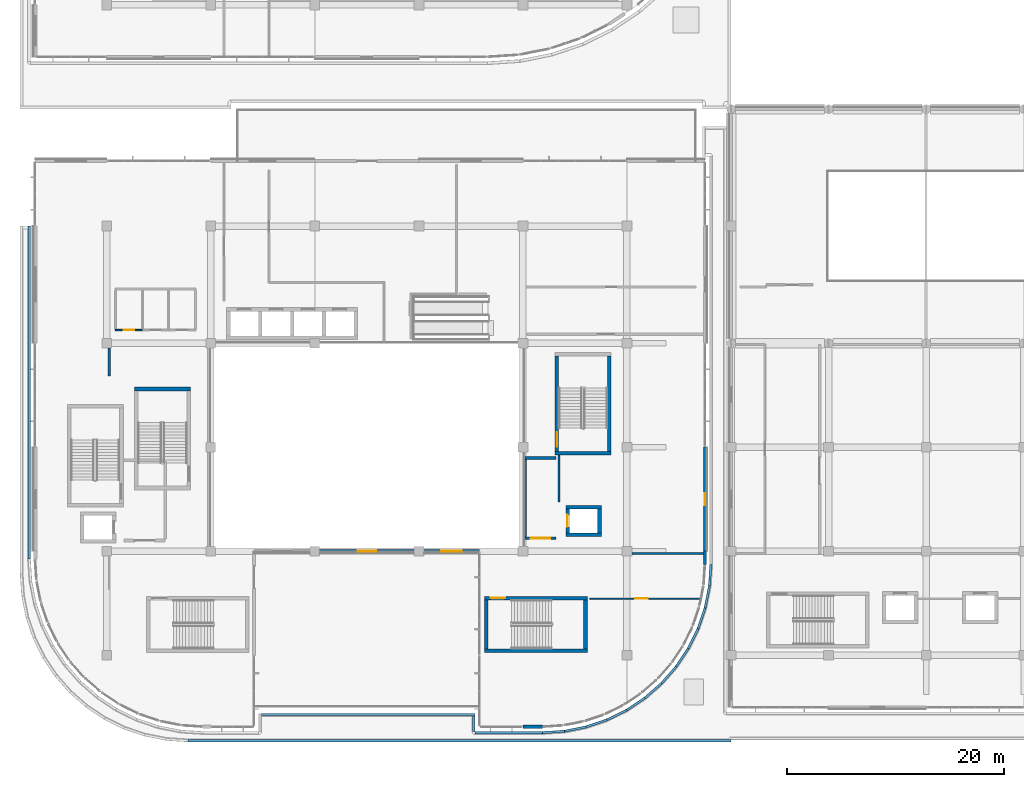
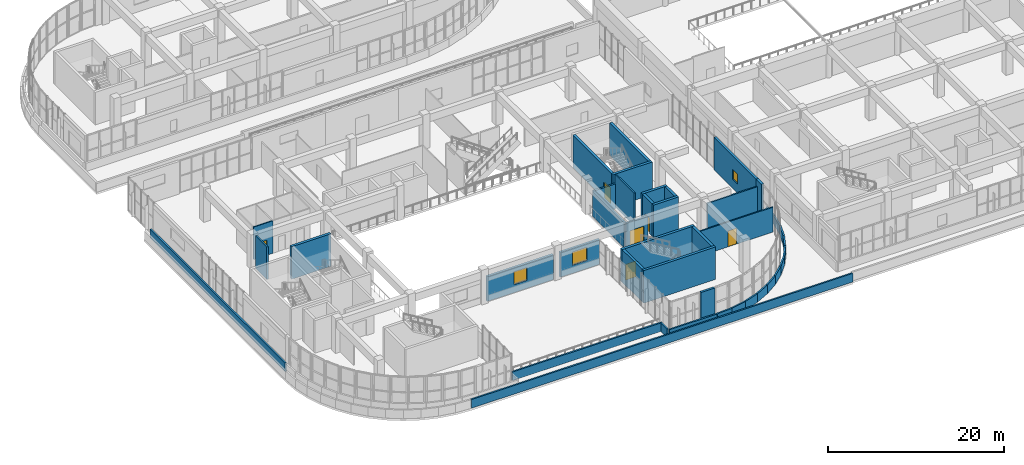
# One storey, part 62 of 96: 42 walls, 6 doors, 3 windows, 9 openings.
"""IFC4 building model written with IfcOpenShell, lengths in metres."""

from ifc_helpers import new_model, si_unit, direction, frame, frame_2d, origin, place, context, subcontext, project, spatial, rectangle, extrude, material, layer, layer_set, type_object, element, fill, save


model = new_model("IFC4")

# Units and contexts
model_context = context("Model", 3, precision=1e-05, world=origin(), true_north=direction((0.0, 1.0)))
body_context = subcontext(model_context, "Body", "Model", "MODEL_VIEW")
ifc_project = project(units=[si_unit("LENGTHUNIT", "METRE"), si_unit("AREAUNIT", "SQUARE_METRE"), si_unit("VOLUMEUNIT", "CUBIC_METRE"), si_unit("PLANEANGLEUNIT", "RADIAN"), si_unit("MASSUNIT", "GRAM", prefix="KILO")], contexts=[model_context])

# Site, building, storey
site_placement = place(None, origin())
site = spatial("IfcSite", under=ifc_project, at=site_placement, CompositionType="ELEMENT")
building_placement = place(site_placement, origin())
building = spatial("IfcBuilding", under=site, at=building_placement, Name="Cendralis Terraced Arcade", CompositionType="ELEMENT")
storey_placement = place(building_placement, frame((0.0, 0.0, 10.199951171875)))
storey = spatial("IfcBuildingStorey", under=building, at=storey_placement, Name="L02", CompositionType="ELEMENT", Elevation=10.199951171875)

# Walls
ifc_material_1 = material(Name="Autoclaved aerated concrete blockwork", Category="masonry")
ifc_layer_1 = layer(ifc_material_1, 0.22802734375, Name="WL-ACOU-228")
ifc_layer_set_1 = layer_set([ifc_layer_1], Name="Autoclaved aerated concrete blockwork")
wall_type_1 = type_object("IfcWallType", Name="WL-ACOU-228", PredefinedType="PARTITIONING", material=ifc_layer_set_1)
wall_1_placement = place(storey_placement, frame((9.820068359375, 37.949951171875, 0.0), z_axis=(0.0, 0.0, 1.0), x_axis=(0.0, -1.0, 0.0)))
element("IfcWall", 1, at=wall_1_placement, inside=storey, type_object=wall_type_1, Name="Interior Partition Wall IW-L02-0442", PredefinedType="PARTITIONING", context=body_context, shape_type="SweptSolid", body=[
    extrude(rectangle(XDim=2.570068359375, YDim=0.22802734375, at=frame_2d((1.28515625, 0.0))), origin(), (0.0, 0.0, 1.0), 4.51513671875),
])
ifc_material_2 = material(Name="Concrete f'c 42 MPa", Category="concrete")
ifc_layer_2 = layer(ifc_material_2, 0.340087890625, Name="WL-CORE-340")
ifc_layer_set_2 = layer_set([ifc_layer_2], Name="Concrete f'c 42 MPa")
wall_type_2 = type_object("IfcWallType", Name="WL-CORE-340", PredefinedType="SHEAR", material=ifc_layer_set_2)
wall_2_placement = place(storey_placement, frame((44.4599609375, 10.030029296875, 0.0), z_axis=(0.0, 0.0, 1.0), x_axis=(1.0, 0.0, 0.0)))
element("IfcWall", 2, at=wall_2_placement, inside=storey, type_object=wall_type_2, Name="Stair Core Reinforced Concrete Shear Wall SW-ST-03-L02-S", PredefinedType="SHEAR", context=body_context, shape_type="SweptSolid", body=[
    extrude(rectangle(XDim=9.47998046875, YDim=0.340087890625, at=frame_2d((4.739990234375, 0.0))), origin(), (0.0, 0.0, 1.0), 4.51513671875),
])

# Wall, opening, door
wall_3_placement = place(storey_placement, frame((44.4599609375, 14.8701171875, 0.0), z_axis=(0.0, 0.0, 1.0), x_axis=(1.0, 0.0, 0.0)))
wall_3 = element("IfcWall", 3, at=wall_3_placement, inside=storey, type_object=wall_type_2, Name="Stair Core Reinforced Concrete Shear Wall SW-ST-03-L02-N", PredefinedType="SHEAR", context=body_context, shape_type="SweptSolid", body=[
    extrude(rectangle(XDim=9.47998046875, YDim=0.340087890625, at=frame_2d((4.739990234375, 0.0))), origin(), (0.0, 0.0, 1.0), 4.51513671875),
])
opening_1_placement = place(wall_3_placement, frame((0.550048828125, 0.0, 0.0)))
opening_1 = element("IfcOpeningElement", 4, at=opening_1_placement, cuts=wall_3, Name="Opening D-ST-03-L02", PredefinedType="OPENING", context=body_context, shape_type="SweptSolid", body=[
    extrude(rectangle(XDim=1.35009765625, YDim=2.199951171875, at=frame_2d((0.675048828125, 1.10009765625))), frame((0.0, 0.18212890625, 0.0), z_axis=(0.0, -1.0, 0.0), x_axis=(1.0, 0.0, 0.0)), (0.0, 0.0, 1.0), 0.364013671875),
])
ifc_material_3 = material(Name="Galvanised fire-rated steel door assembly", Category="steel")
door_type_1 = type_object("IfcDoorType", Name="ID-ST-1350x2200", OperationType="NOTDEFINED", PredefinedType="DOOR", material=ifc_material_3)
door_1_placement = place(opening_1_placement, frame((1.35009765625, 0.0, 0.0), z_axis=(0.0, 0.0, 1.0), x_axis=(-1.0, 0.0, 0.0)))
door_1 = element("IfcDoor", 5, at=door_1_placement, inside=storey, type_object=door_type_1, Name="Protected Stair ST-03 Fire Door (L02)", OperationType="SINGLE_SWING_RIGHT", OverallHeight=2.199951171875, OverallWidth=1.35009765625, PredefinedType="DOOR", context=body_context, shape_type="SweptSolid", body=[
    extrude(rectangle(XDim=1.35009765625, YDim=2.199951171875, at=frame_2d((0.675048828125, 1.10009765625))), frame((0.0, 0.02490234375, 0.0), z_axis=(0.0, -1.0, 0.0), x_axis=(1.0, 0.0, 0.0)), (0.0, 0.0, 1.0), 0.050048828125),
])
fill(opening_1, door_1)

# Walls
for number, where, z_axis, x_axis, name in (
    (6, (53.77001953125, 10.199951171875, 0.0), (0.0, 0.0, 1.0), (0.0, 1.0, 0.0), "Stair Core Reinforced Concrete Shear Wall SW-ST-03-L02-E"),
    (7, (44.6298828125, 10.199951171875, 0.0), (0.0, 0.0, 1.0), (0.0, 1.0, 0.0), "Stair Core Reinforced Concrete Shear Wall SW-ST-03-L02-W"),
):
    element("IfcWall", number, at=place(storey_placement, frame(where, z_axis=z_axis, x_axis=x_axis)), inside=storey, type_object=wall_type_2, Name=name, PredefinedType="SHEAR", context=body_context, shape_type="SweptSolid", body=[
        extrude(rectangle(XDim=4.5, YDim=0.340087890625, at=frame_2d((2.25, 0.0))), origin(), (0.0, 0.0, 1.0), 4.51513671875),
    ])
wall_4_placement = place(storey_placement, frame((50.9599609375, 28.22998046875, 0.0), z_axis=(0.0, 0.0, 1.0), x_axis=(1.0, 0.0, 0.0)))
element("IfcWall", 8, at=wall_4_placement, inside=storey, type_object=wall_type_2, Name="Stair Core Reinforced Concrete Shear Wall SW-ST-04-L02-S", PredefinedType="SHEAR", context=body_context, shape_type="SweptSolid", body=[
    extrude(rectangle(XDim=5.179931640625, YDim=0.340087890625, at=frame_2d((2.58984375, 0.0))), origin(), (0.0, 0.0, 1.0), 4.51513671875),
])
wall_5_placement = place(storey_placement, frame((55.969970703125, 28.39990234375, 0.0), z_axis=(0.0, 0.0, 1.0), x_axis=(0.0, 1.0, 0.0)))
element("IfcWall", 9, at=wall_5_placement, inside=storey, type_object=wall_type_2, Name="Stair Core Reinforced Concrete Shear Wall SW-ST-04-L02-E", PredefinedType="SHEAR", context=body_context, shape_type="SweptSolid", body=[
    extrude(rectangle(XDim=8.800048828125, YDim=0.340087890625, at=frame_2d((4.39990234375, 0.0))), origin(), (0.0, 0.0, 1.0), 4.51513671875),
])

# Wall, opening, door
wall_6_placement = place(storey_placement, frame((51.1298828125, 28.39990234375, 0.0), z_axis=(0.0, 0.0, 1.0), x_axis=(0.0, 1.0, 0.0)))
wall_6 = element("IfcWall", 10, at=wall_6_placement, inside=storey, type_object=wall_type_2, Name="Stair Core Reinforced Concrete Shear Wall SW-ST-04-L02-W", PredefinedType="SHEAR", context=body_context, shape_type="SweptSolid", body=[
    extrude(rectangle(XDim=8.800048828125, YDim=0.340087890625, at=frame_2d((4.39990234375, 0.0))), origin(), (0.0, 0.0, 1.0), 4.51513671875),
])
opening_2_placement = place(wall_6_placement, frame((0.449951171875, 0.0, 0.0)))
opening_2 = element("IfcOpeningElement", 11, at=opening_2_placement, cuts=wall_6, Name="Opening D-ST-04-L02", PredefinedType="OPENING", context=body_context, shape_type="SweptSolid", body=[
    extrude(rectangle(XDim=1.35009765625, YDim=2.199951171875, at=frame_2d((0.675048828125, 1.10009765625))), frame((0.0, 0.18212890625, 0.0), z_axis=(0.0, -1.0, 0.0), x_axis=(1.0, 0.0, 0.0)), (0.0, 0.0, 1.0), 0.364013671875),
])
door_2_placement = place(opening_2_placement, frame((1.35009765625, 0.0, 0.0), z_axis=(0.0, 0.0, 1.0), x_axis=(-1.0, 0.0, 0.0)))
door_2 = element("IfcDoor", 12, at=door_2_placement, inside=storey, type_object=door_type_1, Name="Protected Stair ST-04 Fire Door (L02)", OperationType="SINGLE_SWING_RIGHT", OverallHeight=2.199951171875, OverallWidth=1.35009765625, PredefinedType="DOOR", context=body_context, shape_type="SweptSolid", body=[
    extrude(rectangle(XDim=1.35009765625, YDim=2.199951171875, at=frame_2d((0.675048828125, 1.10009765625))), frame((0.0, 0.02490234375, 0.0), z_axis=(0.0, -1.0, 0.0), x_axis=(1.0, 0.0, 0.0)), (0.0, 0.0, 1.0), 0.050048828125),
])
fill(opening_2, door_2)

# Walls
wall_7_placement = place(storey_placement, frame((12.159912109375, 34.169921875, 0.0), z_axis=(0.0, 0.0, 1.0), x_axis=(1.0, 0.0, 0.0)))
element("IfcWall", 13, at=wall_7_placement, inside=storey, type_object=wall_type_2, Name="Stair Core Reinforced Concrete Shear Wall SW-ST-05-L02-N", PredefinedType="SHEAR", context=body_context, shape_type="SweptSolid", body=[
    extrude(rectangle(XDim=5.18017578125, YDim=0.340087890625, at=frame_2d((2.590087890625, 0.0))), origin(), (0.0, 0.0, 1.0), 4.51513671875),
])
for number, where, z_axis, x_axis, name in (
    (14, (51.9599609375, 20.72998046875, 0.0), (0.0, 0.0, 1.0), (1.0, 0.0, 0.0), "Lift FFL-02 Reinforced Concrete Shaft Wall (L02)"),
    (15, (51.9599609375, 23.27001953125, 0.0), (0.0, 0.0, 1.0), (1.0, 0.0, 0.0), "Lift FFL-02 Reinforced Concrete Shaft Wall (L02)"),
):
    element("IfcWall", number, at=place(storey_placement, frame(where, z_axis=z_axis, x_axis=x_axis)), inside=storey, type_object=wall_type_2, Name=name, PredefinedType="SHEAR", context=body_context, shape_type="SweptSolid", body=[
        extrude(rectangle(XDim=3.280029296875, YDim=0.340087890625, at=frame_2d((1.64013671875, 0.0))), origin(), (0.0, 0.0, 1.0), 4.51513671875),
    ])

# Wall, opening, door
wall_8_placement = place(storey_placement, frame((52.1298828125, 20.89990234375, 0.0), z_axis=(0.0, 0.0, 1.0), x_axis=(0.0, 1.0, 0.0)))
wall_8 = element("IfcWall", 16, at=wall_8_placement, inside=storey, type_object=wall_type_2, Name="Lift FFL-02 Reinforced Concrete Shaft Wall (L02)", PredefinedType="SHEAR", context=body_context, shape_type="SweptSolid", body=[
    extrude(rectangle(XDim=2.2001953125, YDim=0.340087890625, at=frame_2d((1.10009765625, 0.0))), origin(), (0.0, 0.0, 1.0), 4.51513671875),
])
opening_3_placement = place(wall_8_placement, frame((0.550048828125, 0.0, 0.0)))
opening_3 = element("IfcOpeningElement", 17, at=opening_3_placement, cuts=wall_8, Name="Opening LD-FFL-02-L02", PredefinedType="OPENING", context=body_context, shape_type="SweptSolid", body=[
    extrude(rectangle(XDim=1.10009765625, YDim=2.14990234375, at=frame_2d((0.550048828125, 1.074951171875))), frame((0.0, 0.18212890625, 0.0), z_axis=(0.0, -1.0, 0.0), x_axis=(1.0, 0.0, 0.0)), (0.0, 0.0, 1.0), 0.364013671875),
])
ifc_material_4 = material(Name="Anodised aluminium sliding door assembly", Category="aluminium")
door_type_2 = type_object("IfcDoorType", Name="ID-LD-FF-1100x2150", OperationType="DOUBLE_DOOR_SLIDING", PredefinedType="DOOR", material=ifc_material_4)
door_3_placement = place(opening_3_placement, origin())
door_3 = element("IfcDoor", 18, at=door_3_placement, inside=storey, type_object=door_type_2, Name="Lift FFL-02 Sliding Landing Door (L02)", OperationType="DOUBLE_DOOR_SLIDING", OverallHeight=2.14990234375, OverallWidth=1.10009765625, PredefinedType="DOOR", context=body_context, shape_type="SweptSolid", body=[
    extrude(rectangle(XDim=1.10009765625, YDim=2.14990234375, at=frame_2d((0.550048828125, 1.074951171875))), frame((0.0, 0.02490234375, 0.0), z_axis=(0.0, -1.0, 0.0), x_axis=(1.0, 0.0, 0.0)), (0.0, 0.0, 1.0), 0.050048828125),
])
fill(opening_3, door_3)

# Walls
wall_9_placement = place(storey_placement, frame((55.070068359375, 20.89990234375, 0.0), z_axis=(0.0, 0.0, 1.0), x_axis=(0.0, 1.0, 0.0)))
element("IfcWall", 19, at=wall_9_placement, inside=storey, type_object=wall_type_2, Name="Lift FFL-02 Reinforced Concrete Shaft Wall (L02)", PredefinedType="SHEAR", context=body_context, shape_type="SweptSolid", body=[
    extrude(rectangle(XDim=2.2001953125, YDim=0.340087890625, at=frame_2d((1.10009765625, 0.0))), origin(), (0.0, 0.0, 1.0), 4.51513671875),
])
ifc_material_5 = material(Name="Precast concrete f'c 40 MPa", Category="concrete")
ifc_layer_3 = layer(ifc_material_5, 0.300048828125, Name="WL-EXT-GRC-300")
ifc_layer_set_3 = layer_set([ifc_layer_3], Name="Precast concrete f'c 40 MPa")
wall_type_3 = type_object("IfcWallType", Name="WL-EXT-GRC-300", PredefinedType="SOLIDWALL", material=ifc_layer_set_3)
wall_10_placement = place(storey_placement, frame((49.800048828125, 3.0, 0.0), z_axis=(0.0, 0.0, 1.0), x_axis=(-1.0, 0.0, 0.0)))
element("IfcWall", 20, at=wall_10_placement, inside=storey, type_object=wall_type_3, Name="Exterior Architectural Wall EW-L02-0213", PredefinedType="SOLIDWALL", context=body_context, shape_type="SweptSolid", body=[
    extrude(rectangle(XDim=1.800048828125, YDim=0.300048828125, at=frame_2d((0.89990234375, 0.0))), origin(), (0.0, 0.0, 1.0), 4.51513671875),
])

# Wall, opening, window
wall_11_placement = place(storey_placement, frame((44.0, 19.199951171875, 0.0), z_axis=(0.0, 0.0, 1.0), x_axis=(-1.0, 0.0, 0.0)))
wall_11 = element("IfcWall", 21, at=wall_11_placement, inside=storey, type_object=wall_type_3, Name="Exterior Architectural Wall EW-L02-0214", PredefinedType="SOLIDWALL", context=body_context, shape_type="SweptSolid", body=[
    extrude(rectangle(XDim=5.152099609375, YDim=0.300048828125, at=frame_2d((2.576171875, 0.0))), origin(), (0.0, 0.0, 1.0), 3.455078125),
])
opening_4_placement = place(wall_11_placement, frame((1.6259765625, 0.0, 1.10009765625)))
opening_4 = element("IfcOpeningElement", 22, at=opening_4_placement, cuts=wall_11, Name="Opening W-13", PredefinedType="OPENING", context=body_context, shape_type="SweptSolid", body=[
    extrude(rectangle(XDim=1.89990234375, YDim=1.85009765625, at=frame_2d((0.949951171875, 0.925048828125))), frame((0.0, 0.162109375, 0.0), z_axis=(0.0, -1.0, 0.0), x_axis=(1.0, 0.0, 0.0)), (0.0, 0.0, 1.0), 0.323974609375),
])
ifc_material_6 = material(Name="Tempered solar control laminated glass", Category="glass")
window_type_1 = type_object("IfcWindowType", Name="WN-F2-1900x1850", PartitioningType="SINGLE_PANEL", PredefinedType="WINDOW", material=ifc_material_6)
window_1_placement = place(opening_4_placement, origin())
window_1 = element("IfcWindow", 23, at=window_1_placement, inside=storey, type_object=window_type_1, Name="Exterior Solar-Control Window WN-L02-0131", OverallHeight=1.85009765625, OverallWidth=1.89990234375, PartitioningType="SINGLE_PANEL", PredefinedType="WINDOW", context=body_context, shape_type="SweptSolid", body=[
    extrude(rectangle(XDim=1.89990234375, YDim=1.85009765625, at=frame_2d((0.949951171875, 0.925048828125))), frame((0.0, 0.030029296875, 0.0), z_axis=(0.0, -1.0, 0.0), x_axis=(1.0, 0.0, 0.0)), (0.0, 0.0, 1.0), 0.06005859375),
])
fill(opening_4, window_1)

wall_12_placement = place(storey_placement, frame((37.951904296875, 19.199951171875, 0.0), z_axis=(0.0, 0.0, 1.0), x_axis=(-1.0, 0.0, 0.0)))
wall_12 = element("IfcWall", 24, at=wall_12_placement, inside=storey, type_object=wall_type_3, Name="Exterior Architectural Wall EW-L02-0215", PredefinedType="SOLIDWALL", context=body_context, shape_type="SweptSolid", body=[
    extrude(rectangle(XDim=8.703857421875, YDim=0.300048828125, at=frame_2d((4.35205078125, 0.0))), origin(), (0.0, 0.0, 1.0), 3.455078125),
])
opening_5_placement = place(wall_12_placement, frame((3.501953125, 0.0, 1.10009765625)))
opening_5 = element("IfcOpeningElement", 25, at=opening_5_placement, cuts=wall_12, Name="Opening W-14", PredefinedType="OPENING", context=body_context, shape_type="SweptSolid", body=[
    extrude(rectangle(XDim=1.699951171875, YDim=1.800048828125, at=frame_2d((0.85009765625, 0.89990234375))), frame((0.0, 0.162109375, 0.0), z_axis=(0.0, -1.0, 0.0), x_axis=(1.0, 0.0, 0.0)), (0.0, 0.0, 1.0), 0.323974609375),
])
window_type_2 = type_object("IfcWindowType", Name="WN-F2-1700x1800", PartitioningType="SINGLE_PANEL", PredefinedType="WINDOW", material=ifc_material_6)
window_2_placement = place(opening_5_placement, origin())
window_2 = element("IfcWindow", 26, at=window_2_placement, inside=storey, type_object=window_type_2, Name="Exterior Solar-Control Window WN-L02-0132", OverallHeight=1.800048828125, OverallWidth=1.699951171875, PartitioningType="SINGLE_PANEL", PredefinedType="WINDOW", context=body_context, shape_type="SweptSolid", body=[
    extrude(rectangle(XDim=1.699951171875, YDim=1.800048828125, at=frame_2d((0.85009765625, 0.89990234375))), frame((0.0, 0.030029296875, 0.0), z_axis=(0.0, -1.0, 0.0), x_axis=(1.0, 0.0, 0.0)), (0.0, 0.0, 1.0), 0.06005859375),
])
fill(opening_5, window_2)

wall_13_placement = place(storey_placement, frame((64.800048828125, 28.800048828125, 0.0), z_axis=(0.0, 0.0, 1.0), x_axis=(0.0, -1.0, 0.0)))
wall_13 = element("IfcWall", 27, at=wall_13_placement, inside=storey, type_object=wall_type_3, Name="Exterior Architectural Wall EW-L02-0228", PredefinedType="SOLIDWALL", context=body_context, shape_type="SweptSolid", body=[
    extrude(rectangle(XDim=9.60009765625, YDim=0.300048828125, at=frame_2d((4.800048828125, 0.0))), origin(), (0.0, 0.0, 1.0), 4.51513671875),
])
opening_6_placement = place(wall_13_placement, frame((4.25, 0.0, 1.25)))
opening_6 = element("IfcOpeningElement", 28, at=opening_6_placement, cuts=wall_13, Name="Opening W-22", PredefinedType="OPENING", context=body_context, shape_type="SweptSolid", body=[
    extrude(rectangle(XDim=1.10009765625, YDim=1.35009765625, at=frame_2d((0.550048828125, 0.675048828125))), frame((0.0, 0.162109375, 0.0), z_axis=(0.0, -1.0, 0.0), x_axis=(1.0, 0.0, 0.0)), (0.0, 0.0, 1.0), 0.323974609375),
])
window_type_3 = type_object("IfcWindowType", Name="WN-BOH-1100x1350", PartitioningType="SINGLE_PANEL", PredefinedType="WINDOW", material=ifc_material_6)
window_3_placement = place(opening_6_placement, origin())
window_3 = element("IfcWindow", 29, at=window_3_placement, inside=storey, type_object=window_type_3, Name="Exterior Solar-Control Window WN-L02-0141", OverallHeight=1.35009765625, OverallWidth=1.10009765625, PartitioningType="SINGLE_PANEL", PredefinedType="WINDOW", context=body_context, shape_type="SweptSolid", body=[
    extrude(rectangle(XDim=1.10009765625, YDim=1.35009765625, at=frame_2d((0.550048828125, 0.675048828125))), frame((0.0, 0.030029296875, 0.0), z_axis=(0.0, -1.0, 0.0), x_axis=(1.0, 0.0, 0.0)), (0.0, 0.0, 1.0), 0.06005859375),
])
fill(opening_6, window_3)

# Wall
wall_14_placement = place(storey_placement, frame((64.800048828125, 19.199951171875, 0.0), z_axis=(0.0, 0.0, 1.0), x_axis=(0.0, -1.0, 0.0)))
element("IfcWall", 30, at=wall_14_placement, inside=storey, type_object=wall_type_3, Name="Exterior Architectural Wall EW-L02-0229", PredefinedType="SOLIDWALL", context=body_context, shape_type="SweptSolid", body=[
    extrude(rectangle(XDim=1.199951171875, YDim=0.300048828125, at=frame_2d((0.60009765625, 0.0))), origin(), (0.0, 0.0, 1.0), 4.51513671875),
])

# Wall, opening, door
ifc_layer_4 = layer(ifc_material_1, 0.25, Name="WL-FFL-250")
ifc_layer_set_4 = layer_set([ifc_layer_4], Name="Autoclaved aerated concrete blockwork")
wall_type_4 = type_object("IfcWallType", Name="WL-FFL-250", PredefinedType="PARTITIONING", material=ifc_layer_set_4)
wall_15_placement = place(storey_placement, frame((48.199951171875, 20.39990234375, 0.0), z_axis=(0.0, 0.0, 1.0), x_axis=(1.0, 0.0, 0.0)))
wall_15 = element("IfcWall", 31, at=wall_15_placement, inside=storey, type_object=wall_type_4, Name="Firefighting Lift Lobby FFL-02 Rated Wall S (L02)", PredefinedType="PARTITIONING", context=body_context, shape_type="SweptSolid", body=[
    extrude(rectangle(XDim=2.85009765625, YDim=0.25, at=frame_2d((1.425048828125, 0.0))), origin(), (0.0, 0.0, 1.0), 3.455078125),
])
opening_7_placement = place(wall_15_placement, frame((0.52001953125, 0.0, 0.0)))
opening_7 = element("IfcOpeningElement", 32, at=opening_7_placement, cuts=wall_15, Name="Opening D-FFL-02-L02-S", PredefinedType="OPENING", context=body_context, shape_type="SweptSolid", body=[
    extrude(rectangle(XDim=1.800048828125, YDim=2.25, at=frame_2d((0.89990234375, 1.125))), frame((0.0, 0.136962890625, 0.0), z_axis=(0.0, -1.0, 0.0), x_axis=(1.0, 0.0, 0.0)), (0.0, 0.0, 1.0), 0.27392578125),
])
door_type_3 = type_object("IfcDoorType", Name="ID-FFL-1800x2250", OperationType="DOUBLE_DOOR_SINGLE_SWING", PredefinedType="DOOR", material=ifc_material_3)
door_4_placement = place(opening_7_placement, origin())
door_4 = element("IfcDoor", 33, at=door_4_placement, inside=storey, type_object=door_type_3, Name="Firefighting Lift Lobby FFL-02 Rated Double Door (L02)", OperationType="DOUBLE_DOOR_SINGLE_SWING", OverallHeight=2.25, OverallWidth=1.800048828125, PredefinedType="DOOR", context=body_context, shape_type="SweptSolid", body=[
    extrude(rectangle(XDim=1.800048828125, YDim=2.25, at=frame_2d((0.89990234375, 1.125))), frame((0.0, 0.02490234375, 0.0), z_axis=(0.0, -1.0, 0.0), x_axis=(1.0, 0.0, 0.0)), (0.0, 0.0, 1.0), 0.050048828125),
])
fill(opening_7, door_4)

# Walls
wall_16_placement = place(storey_placement, frame((48.199951171875, 27.800048828125, 0.0), z_axis=(0.0, 0.0, 1.0), x_axis=(1.0, 0.0, 0.0)))
element("IfcWall", 34, at=wall_16_placement, inside=storey, type_object=wall_type_4, Name="Firefighting Lift Lobby FFL-02 Rated Wall N (L02)", PredefinedType="PARTITIONING", context=body_context, shape_type="SweptSolid", body=[
    extrude(rectangle(XDim=2.85009765625, YDim=0.25, at=frame_2d((1.425048828125, 0.0))), origin(), (0.0, 0.0, 1.0), 3.455078125),
])
wall_17_placement = place(storey_placement, frame((48.199951171875, 20.530029296875, 0.0), z_axis=(0.0, 0.0, 1.0), x_axis=(0.0, 1.0, 0.0)))
element("IfcWall", 35, at=wall_17_placement, inside=storey, type_object=wall_type_4, Name="Firefighting Lift Lobby FFL-02 Rated Wall W (L02)", PredefinedType="PARTITIONING", context=body_context, shape_type="SweptSolid", body=[
    extrude(rectangle(XDim=7.139892578125, YDim=0.25, at=frame_2d((3.56982421875, 0.0))), origin(), (0.0, 0.0, 1.0), 3.455078125),
])
ifc_layer_5 = layer(ifc_material_5, 0.205078125, Name="WL-PAR-205")
ifc_layer_set_5 = layer_set([ifc_layer_5], Name="Precast concrete f'c 40 MPa")
wall_type_5 = type_object("IfcWallType", Name="WL-PAR-205", PredefinedType="PARAPET", material=ifc_layer_set_5)
wall_18_placement = place(storey_placement, frame((67.199951171875, 1.722412109375, 0.0), z_axis=(0.0, 0.0, 1.0), x_axis=(-1.0, 0.0, 0.0)))
element("IfcWall", 36, at=wall_18_placement, inside=storey, type_object=wall_type_5, Name="Precast Concrete Roof Parapet Wall PAR-L02-107", PredefinedType="PARAPET", context=body_context, shape_type="SweptSolid", body=[
    extrude(rectangle(XDim=50.099853515625, YDim=0.205078125, at=frame_2d((25.0498046875, 0.0))), origin(), (0.0, 0.0, 1.0), 1.199951171875),
])
wall_19_placement = place(storey_placement, frame((2.45751953125, 49.199951171875, 0.0), z_axis=(0.0, 0.0, 1.0), x_axis=(0.0, -1.0, 0.0)))
element("IfcWall", 37, at=wall_19_placement, inside=storey, type_object=wall_type_5, Name="Precast Concrete Roof Parapet Wall PAR-L02-121", PredefinedType="PARAPET", context=body_context, shape_type="SweptSolid", body=[
    extrude(rectangle(XDim=30.713623046875, YDim=0.205078125, at=frame_2d((15.35693359375, 0.0))), origin(), (0.0, 0.0, 1.0), 1.199951171875),
])
wall_20_placement = place(storey_placement, frame((23.864990234375, 4.12744140625, 0.0), z_axis=(0.0, 0.0, 1.0), x_axis=(1.0, 0.0, 0.0)))
element("IfcWall", 38, at=wall_20_placement, inside=storey, type_object=wall_type_5, Name="Precast Concrete Roof Parapet Wall PAR-L02-136", PredefinedType="PARAPET", context=body_context, shape_type="SweptSolid", body=[
    extrude(rectangle(XDim=19.715087890625, YDim=0.205078125, at=frame_2d((9.857421875, 0.0))), origin(), (0.0, 0.0, 1.0), 1.199951171875),
])
wall_21_placement = place(storey_placement, frame((43.45751953125, 4.0048828125, 0.0), z_axis=(0.0, 0.0, 1.0), x_axis=(0.0, -1.0, 0.0)))
element("IfcWall", 39, at=wall_21_placement, inside=storey, type_object=wall_type_5, Name="Precast Concrete Roof Parapet Wall PAR-L02-137", PredefinedType="PARAPET", context=body_context, shape_type="SweptSolid", body=[
    extrude(rectangle(XDim=1.4248046875, YDim=0.205078125, at=frame_2d((0.71240234375, 0.0))), origin(), (0.0, 0.0, 1.0), 1.199951171875),
])
wall_22_placement = place(storey_placement, frame((43.580078125, 2.45751953125, 0.0), z_axis=(0.0, 0.0, 1.0), x_axis=(1.0, 0.0, 0.0)))
element("IfcWall", 40, at=wall_22_placement, inside=storey, type_object=wall_type_5, Name="Precast Concrete Roof Parapet Wall PAR-L02-138", PredefinedType="PARAPET", context=body_context, shape_type="SweptSolid", body=[
    extrude(rectangle(XDim=6.233642578125, YDim=0.205078125, at=frame_2d((3.11669921875, 0.0))), origin(), (0.0, 0.0, 1.0), 1.199951171875),
])
wall_23_placement = place(storey_placement, frame((49.82177734375, 2.457763671875, 0.0), z_axis=(0.0, 0.0, 1.0), x_axis=(0.997856296776, 0.06544318898, 0.0)))
element("IfcWall", 41, at=wall_23_placement, inside=storey, type_object=wall_type_5, Name="Precast Concrete Roof Parapet Wall PAR-L02-139", PredefinedType="PARAPET", context=body_context, shape_type="SweptSolid", body=[
    extrude(rectangle(XDim=2.00341796875, YDim=0.205078125, at=frame_2d((1.001708984375, 0.0))), origin(), (0.0, 0.0, 1.0), 1.199951171875),
])
for number, where, z_axis, x_axis, name in (
    (42, (51.836669921875, 2.5908203125, 0.0), (0.0, 0.0, 1.0), (0.980784952156, 0.195091972221, 0.0), "Precast Concrete Roof Parapet Wall PAR-L02-140"),
    (43, (53.83056640625, 2.988525390625, 0.0), (0.0, 0.0, 1.0), (0.946926081633, 0.321451389675, 0.0), "Precast Concrete Roof Parapet Wall PAR-L02-141"),
):
    element("IfcWall", number, at=place(storey_placement, frame(where, z_axis=z_axis, x_axis=x_axis)), inside=storey, type_object=wall_type_5, Name=name, PredefinedType="PARAPET", context=body_context, shape_type="SweptSolid", body=[
        extrude(rectangle(XDim=2.017333984375, YDim=0.205078125, at=frame_2d((1.0087890625, 0.0))), origin(), (0.0, 0.0, 1.0), 1.199951171875),
    ])
wall_24_placement = place(storey_placement, frame((55.755615234375, 3.64306640625, 0.0), z_axis=(0.0, 0.0, 1.0), x_axis=(0.896882709026, 0.442268477568, 0.0)))
element("IfcWall", 44, at=wall_24_placement, inside=storey, type_object=wall_type_5, Name="Precast Concrete Roof Parapet Wall PAR-L02-142", PredefinedType="PARAPET", context=body_context, shape_type="SweptSolid", body=[
    extrude(rectangle(XDim=2.01708984375, YDim=0.205078125, at=frame_2d((1.008544921875, 0.0))), origin(), (0.0, 0.0, 1.0), 1.199951171875),
])
wall_25_placement = place(storey_placement, frame((57.57861328125, 4.543212890625, 0.0), z_axis=(0.0, 0.0, 1.0), x_axis=(0.831453903366, 0.555593742386, 0.0)))
element("IfcWall", 45, at=wall_25_placement, inside=storey, type_object=wall_type_5, Name="Precast Concrete Roof Parapet Wall PAR-L02-143", PredefinedType="PARAPET", context=body_context, shape_type="SweptSolid", body=[
    extrude(rectangle(XDim=2.016845703125, YDim=0.205078125, at=frame_2d((1.00830078125, 0.0))), origin(), (0.0, 0.0, 1.0), 1.199951171875),
])
wall_26_placement = place(storey_placement, frame((59.268310546875, 5.673583984375, 0.0), z_axis=(0.0, 0.0, 1.0), x_axis=(0.751826475426, 0.659361017083, 0.0)))
element("IfcWall", 46, at=wall_26_placement, inside=storey, type_object=wall_type_5, Name="Precast Concrete Roof Parapet Wall PAR-L02-144", PredefinedType="PARAPET", context=body_context, shape_type="SweptSolid", body=[
    extrude(rectangle(XDim=2.017333984375, YDim=0.205078125, at=frame_2d((1.0087890625, 0.0))), origin(), (0.0, 0.0, 1.0), 1.199951171875),
])
wall_27_placement = place(storey_placement, frame((60.79638671875, 7.014892578125, 0.0), z_axis=(0.0, 0.0, 1.0), x_axis=(0.659292598609, 0.751886473758, 0.0)))
element("IfcWall", 47, at=wall_27_placement, inside=storey, type_object=wall_type_5, Name="Precast Concrete Roof Parapet Wall PAR-L02-145", PredefinedType="PARAPET", context=body_context, shape_type="SweptSolid", body=[
    extrude(rectangle(XDim=2.01708984375, YDim=0.205078125, at=frame_2d((1.008544921875, 0.0))), origin(), (0.0, 0.0, 1.0), 1.199951171875),
])
wall_28_placement = place(storey_placement, frame((62.135986328125, 8.544189453125, 0.0), z_axis=(0.0, 0.0, 1.0), x_axis=(0.555621500763, 0.831435354006, 0.0)))
element("IfcWall", 48, at=wall_28_placement, inside=storey, type_object=wall_type_5, Name="Precast Concrete Roof Parapet Wall PAR-L02-146", PredefinedType="PARAPET", context=body_context, shape_type="SweptSolid", body=[
    extrude(rectangle(XDim=2.017333984375, YDim=0.205078125, at=frame_2d((1.0087890625, 0.0))), origin(), (0.0, 0.0, 1.0), 1.199951171875),
])
wall_29_placement = place(storey_placement, frame((63.264892578125, 10.2353515625, 0.0), z_axis=(0.0, 0.0, 1.0), x_axis=(0.442268477568, 0.896882709026, 0.0)))
element("IfcWall", 49, at=wall_29_placement, inside=storey, type_object=wall_type_5, Name="Precast Concrete Roof Parapet Wall PAR-L02-147", PredefinedType="PARAPET", context=body_context, shape_type="SweptSolid", body=[
    extrude(rectangle(XDim=2.01708984375, YDim=0.205078125, at=frame_2d((1.008544921875, 0.0))), origin(), (0.0, 0.0, 1.0), 1.199951171875),
])
for number, where, z_axis, x_axis, name in (
    (50, (64.1630859375, 12.05908203125, 0.0), (0.0, 0.0, 1.0), (0.321414553738, 0.946938585467, 0.0), "Precast Concrete Roof Parapet Wall PAR-L02-148"),
    (51, (64.815673828125, 13.98486328125, 0.0), (0.0, 0.0, 1.0), (0.194975549611, 0.980808103073, 0.0), "Precast Concrete Roof Parapet Wall PAR-L02-149"),
):
    element("IfcWall", number, at=place(storey_placement, frame(where, z_axis=z_axis, x_axis=x_axis)), inside=storey, type_object=wall_type_5, Name=name, PredefinedType="PARAPET", context=body_context, shape_type="SweptSolid", body=[
        extrude(rectangle(XDim=2.017333984375, YDim=0.205078125, at=frame_2d((1.0087890625, 0.0))), origin(), (0.0, 0.0, 1.0), 1.199951171875),
    ])
wall_30_placement = place(storey_placement, frame((65.211181640625, 15.979248046875, 0.0), z_axis=(0.0, 0.0, 1.0), x_axis=(0.06544318898, 0.997856296776, 0.0)))
element("IfcWall", 52, at=wall_30_placement, inside=storey, type_object=wall_type_5, Name="Precast Concrete Roof Parapet Wall PAR-L02-150", PredefinedType="PARAPET", context=body_context, shape_type="SweptSolid", body=[
    extrude(rectangle(XDim=2.00341796875, YDim=0.205078125, at=frame_2d((1.001708984375, 0.0))), origin(), (0.0, 0.0, 1.0), 1.199951171875),
])

# Wall, opening, door
ifc_material_7 = material(Name="Gypsum plasterboard acoustic partition", Category="concrete")
ifc_layer_6 = layer(ifc_material_7, 0.159912109375, Name="WL-PART-160")
ifc_layer_set_6 = layer_set([ifc_layer_6], Name="Gypsum plasterboard acoustic partition")
wall_type_6 = type_object("IfcWallType", Name="WL-PART-160", PredefinedType="PARTITIONING", material=ifc_layer_set_6)
wall_31_placement = place(storey_placement, frame((10.39990234375, 39.60009765625, 0.0), z_axis=(0.0, 0.0, 1.0), x_axis=(1.0, 0.0, 0.0)))
wall_31 = element("IfcWall", 53, at=wall_31_placement, inside=storey, type_object=wall_type_6, Name="Restroom Enclosure Partition IW-WC-L02-0042", PredefinedType="PARTITIONING", context=body_context, shape_type="SweptSolid", body=[
    extrude(rectangle(XDim=2.5, YDim=0.159912109375, at=frame_2d((1.25, 0.0))), origin(), (0.0, 0.0, 1.0), 4.51513671875),
])
opening_8_placement = place(wall_31_placement, frame((0.77490234375, 0.0, 0.0)))
opening_8 = element("IfcOpeningElement", 54, at=opening_8_placement, cuts=wall_31, Name="Opening D-WC-L02-014", PredefinedType="OPENING", context=body_context, shape_type="SweptSolid", body=[
    extrude(rectangle(XDim=0.949951171875, YDim=2.080078125, at=frame_2d((0.47509765625, 1.0400390625))), frame((0.0, 0.091796875, 0.0), z_axis=(0.0, -1.0, 0.0), x_axis=(1.0, 0.0, 0.0)), (0.0, 0.0, 1.0), 0.183837890625),
])
ifc_material_8 = material(Name="Solid core Andean oak veneer door leaf", Category="aluminium")
door_type_4 = type_object("IfcDoorType", Name="ID-WC-0950x2080", OperationType="NOTDEFINED", PredefinedType="DOOR", material=ifc_material_8)
door_5_placement = place(opening_8_placement, origin())
door_5 = element("IfcDoor", 55, at=door_5_placement, inside=storey, type_object=door_type_4, Name="Women's Restroom Door (L02)", OperationType="SINGLE_SWING_LEFT", OverallHeight=2.080078125, OverallWidth=0.949951171875, PredefinedType="DOOR", context=body_context, shape_type="SweptSolid", body=[
    extrude(rectangle(XDim=0.949951171875, YDim=2.080078125, at=frame_2d((0.47509765625, 1.0400390625))), frame((0.0, 0.02490234375, 0.0), z_axis=(0.0, -1.0, 0.0), x_axis=(1.0, 0.0, 0.0)), (0.0, 0.0, 1.0), 0.050048828125),
])
fill(opening_8, door_5)

ifc_layer_7 = layer(ifc_material_7, 0.175048828125, Name="WL-PART-175")
ifc_layer_set_7 = layer_set([ifc_layer_7], Name="Gypsum plasterboard acoustic partition")
wall_type_7 = type_object("IfcWallType", Name="WL-PART-175", PredefinedType="PARTITIONING", material=ifc_layer_set_7)
wall_32_placement = place(storey_placement, frame((54.126220703125, 14.820068359375, 0.0), z_axis=(0.0, 0.0, 1.0), x_axis=(1.0, 0.0, 0.0)))
wall_32 = element("IfcWall", 56, at=wall_32_placement, inside=storey, type_object=wall_type_7, Name="Interior Partition Wall IW-L02-0448", PredefinedType="PARTITIONING", context=body_context, shape_type="SweptSolid", body=[
    extrude(rectangle(XDim=10.193115234375, YDim=0.175048828125, at=frame_2d((5.0966796875, 0.0))), origin(), (0.0, 0.0, 1.0), 3.455078125),
])
opening_9_placement = place(wall_32_placement, frame((4.233642578125, 0.0, 0.0)))
opening_9 = element("IfcOpeningElement", 57, at=opening_9_placement, cuts=wall_32, Name="Opening D-L02-122", PredefinedType="OPENING", context=body_context, shape_type="SweptSolid", body=[
    extrude(rectangle(XDim=1.14990234375, YDim=2.199951171875, at=frame_2d((0.574951171875, 1.10009765625))), frame((0.0, 0.099609375, 0.0), z_axis=(0.0, -1.0, 0.0), x_axis=(1.0, 0.0, 0.0)), (0.0, 0.0, 1.0), 0.198974609375),
])
door_type_5 = type_object("IfcDoorType", Name="ID-RM-1150x2200", OperationType="NOTDEFINED", PredefinedType="DOOR", material=ifc_material_8)
door_6_placement = place(opening_9_placement, origin())
door_6 = element("IfcDoor", 58, at=door_6_placement, inside=storey, type_object=door_type_5, Name="Tailoring and Alteration Workshop Door D-L02-122", OperationType="SINGLE_SWING_RIGHT", OverallHeight=2.199951171875, OverallWidth=1.14990234375, PredefinedType="DOOR", context=body_context, shape_type="SweptSolid", body=[
    extrude(rectangle(XDim=1.14990234375, YDim=2.199951171875, at=frame_2d((0.574951171875, 1.10009765625))), frame((0.0, 0.02490234375, 0.0), z_axis=(0.0, -1.0, 0.0), x_axis=(1.0, 0.0, 0.0)), (0.0, 0.0, 1.0), 0.050048828125),
])
fill(opening_9, door_6)

# Walls
ifc_layer_8 = layer(ifc_material_7, 0.18505859375, Name="WL-PART-185")
ifc_layer_set_8 = layer_set([ifc_layer_8], Name="Gypsum plasterboard acoustic partition")
wall_type_8 = type_object("IfcWallType", Name="WL-PART-185", PredefinedType="PARTITIONING", material=ifc_layer_set_8)
wall_33_placement = place(storey_placement, frame((64.64990234375, 18.97998046875, 0.0), z_axis=(0.0, 0.0, 1.0), x_axis=(-1.0, 0.0, 0.0)))
element("IfcWall", 59, at=wall_33_placement, inside=storey, type_object=wall_type_8, Name="Interior Partition Wall IW-L02-0447", PredefinedType="PARTITIONING", context=body_context, shape_type="SweptSolid", body=[
    extrude(rectangle(XDim=6.579833984375, YDim=0.18505859375, at=frame_2d((3.2900390625, 0.0))), origin(), (0.0, 0.0, 1.0), 3.64501953125),
])
ifc_layer_9 = layer(ifc_material_7, 0.18994140625, Name="WL-PART-190")
ifc_layer_set_9 = layer_set([ifc_layer_9], Name="Gypsum plasterboard acoustic partition")
wall_type_9 = type_object("IfcWallType", Name="WL-PART-190", PredefinedType="PARTITIONING", material=ifc_layer_set_9)
wall_34_placement = place(storey_placement, frame((51.31005859375, 23.744873046875, 0.0), z_axis=(0.0, 0.0, 1.0), x_axis=(0.0, 1.0, 0.0)))
element("IfcWall", 60, at=wall_34_placement, inside=storey, type_object=wall_type_9, Name="Interior Partition Wall IW-L02-0446", PredefinedType="PARTITIONING", context=body_context, shape_type="SweptSolid", body=[
    extrude(rectangle(XDim=4.315185546875, YDim=0.18994140625, at=frame_2d((2.15771484375, 0.0))), origin(), (0.0, 0.0, 1.0), 4.51513671875),
])

save(model, "model.ifc")
